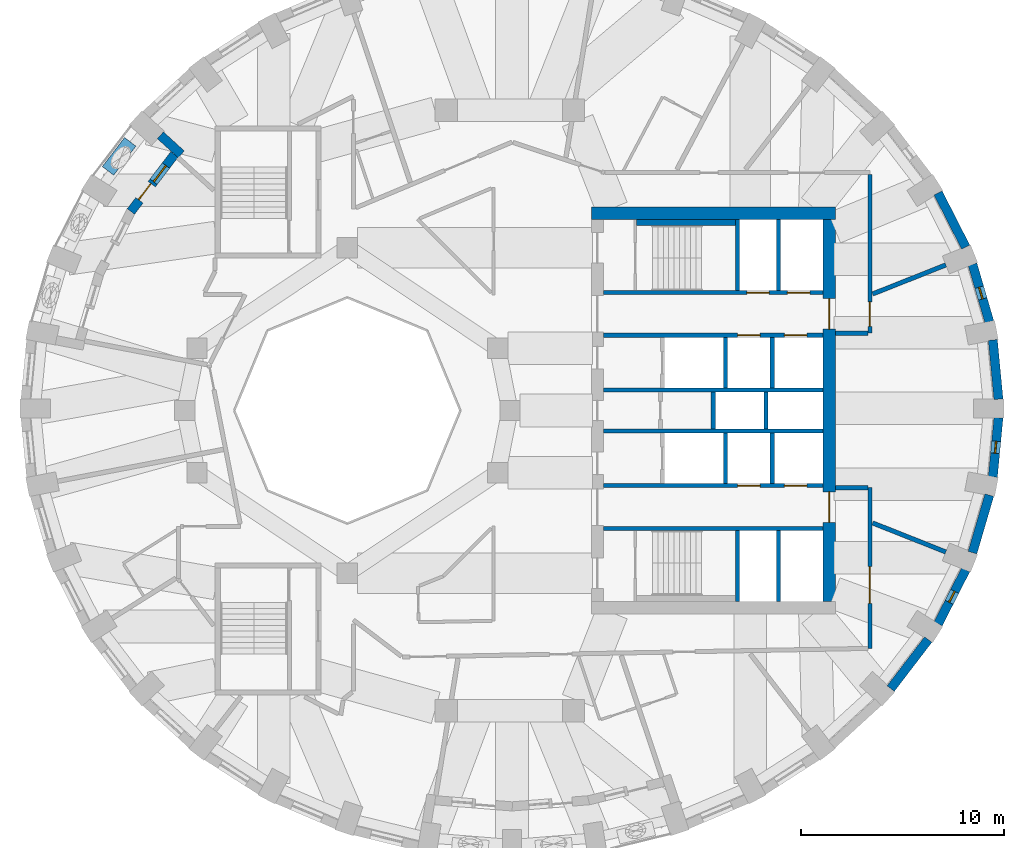
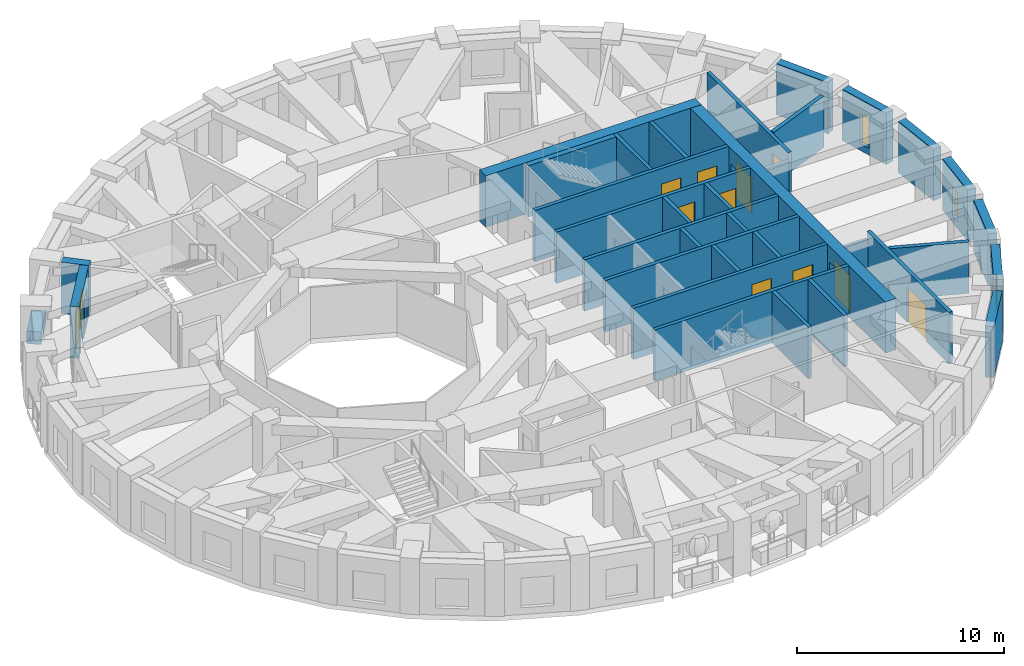
# One storey, part 6 of 11: 35 walls, 11 doors, 4 windows, 15 openings.
"""IFC4 building model written with IfcOpenShell, lengths in metres."""

from ifc_helpers import new_model, si_unit, direction, frame, frame_2d, origin, place, context, subcontext, project, spatial, rectangle, extrude, material, layer, layer_set, constituent, constituent_set, type_object, element, fill, save


model = new_model("IFC4")

# Units and contexts
model_context = context("Model", 3, precision=1e-05, world=origin(), true_north=direction((0.0, 1.0)))
body_context = subcontext(model_context, "Body", "Model", "MODEL_VIEW")
ifc_project = project(units=[si_unit("LENGTHUNIT", "METRE"), si_unit("AREAUNIT", "SQUARE_METRE"), si_unit("VOLUMEUNIT", "CUBIC_METRE"), si_unit("PLANEANGLEUNIT", "RADIAN"), si_unit("MASSUNIT", "GRAM", prefix="KILO")], contexts=[model_context])

# Site, building, storey
site_placement = place(None, origin())
site = spatial("IfcSite", under=ifc_project, at=site_placement, CompositionType="ELEMENT")
building_placement = place(site_placement, origin())
building = spatial("IfcBuilding", under=site, at=building_placement, Name="Taillehof Tower", CompositionType="ELEMENT")
storey_placement = place(building_placement, frame((0.0, 0.0, 155.0)))
storey = spatial("IfcBuildingStorey", under=building, at=storey_placement, Name="L43", CompositionType="ELEMENT", Elevation=155.0)

# Wall
ifc_material_1 = material(Name="Brick masonry", Category="masonry")
ifc_layer_1 = layer(ifc_material_1, 0.449951171875)
ifc_layer_set_1 = layer_set([ifc_layer_1], Name="Brick infill wall 450")
wall_type_1 = type_object("IfcWallType", Name="Brick infill wall 450", PredefinedType="SOLIDWALL", material=ifc_layer_set_1)
wall_1_placement = place(storey_placement, frame((24.030517578125, 0.55517578125, 0.0), z_axis=(0.0, 0.0, 1.0), x_axis=(-0.095265737322, 0.995451876935, 0.0)))
element("IfcWall", 1, at=wall_1_placement, inside=storey, type_object=wall_type_1, Name="Brick wall L43 bay 1", PredefinedType="SOLIDWALL", context=body_context, shape_type="SweptSolid", body=[
    extrude(rectangle(XDim=2.9267578125, YDim=0.449951171875, at=frame_2d((1.46337890625, 0.0))), origin(), (0.0, 0.0, 1.0), 3.02001953125),
])

# Wall, opening, window
wall_2_placement = place(storey_placement, frame((23.579833984375, 4.3623046875, 0.0), z_axis=(0.0, 0.0, 1.0), x_axis=(-0.281049481624, 0.959693278542, 0.0)))
wall_2 = element("IfcWall", 2, at=wall_2_placement, inside=storey, type_object=wall_type_1, Name="Brick wall L43 bay 2", PredefinedType="SOLIDWALL", context=body_context, shape_type="SweptSolid", body=[
    extrude(rectangle(XDim=2.947509765625, YDim=0.449951171875, at=frame_2d((1.4736328125, 0.0))), origin(), (0.0, 0.0, 1.0), 3.02001953125),
])
opening_1_placement = place(wall_2_placement, frame((1.173583984375, 0.0, 0.39990234375)))
opening_1 = element("IfcOpeningElement", 3, at=opening_1_placement, cuts=wall_2, Name="Opening W6", PredefinedType="OPENING", context=body_context, shape_type="SweptSolid", body=[
    extrude(rectangle(XDim=0.60009765625, YDim=1.75, at=frame_2d((0.300048828125, 0.875))), frame((0.0, 0.23486328125, 0.0), z_axis=(0.0, -1.0, 0.0), x_axis=(1.0, 0.0, 0.0)), (0.0, 0.0, 1.0), 0.469970703125),
])
ifc_material_2 = material(Name="Aluminium window frame with clear double glazing", Category="aluminium")
window_type_1 = type_object("IfcWindowType", Name="Slot window 600x1750", PartitioningType="SINGLE_PANEL", PredefinedType="WINDOW", material=ifc_material_2)
window_1_placement = place(opening_1_placement, origin())
window_1 = element("IfcWindow", 4, at=window_1_placement, inside=storey, type_object=window_type_1, Name="W6", OverallHeight=1.75, OverallWidth=0.60009765625, PartitioningType="SINGLE_PANEL", PredefinedType="WINDOW", context=body_context, shape_type="SweptSolid", body=[
    extrude(rectangle(XDim=0.60009765625, YDim=1.75, at=frame_2d((0.300048828125, 0.875))), frame((0.0, 0.034912109375, 0.0), z_axis=(0.0, -1.0, 0.0), x_axis=(1.0, 0.0, 0.0)), (0.0, 0.0, 1.0), 0.06005859375),
])
fill(opening_1, window_1)

# Walls
wall_3_placement = place(storey_placement, frame((22.415283203125, 8.036865234375, 0.0), z_axis=(0.0, 0.0, 1.0), x_axis=(-0.454133999889, 0.890933392653, 0.0)))
element("IfcWall", 5, at=wall_3_placement, inside=storey, type_object=wall_type_1, Name="Brick wall L43 bay 3", PredefinedType="SOLIDWALL", context=body_context, shape_type="SweptSolid", body=[
    extrude(rectangle(XDim=2.98583984375, YDim=0.449951171875, at=frame_2d((1.492919921875, 0.0))), origin(), (0.0, 0.0, 1.0), 3.02001953125),
])
wall_4_placement = place(storey_placement, frame((18.72802734375, -13.6787109375, 0.0), z_axis=(0.0, 0.0, 1.0), x_axis=(0.607817056371, 0.794077090706, 0.0)))
element("IfcWall", 6, at=wall_4_placement, inside=storey, type_object=wall_type_1, Name="Brick wall L43 bay 33", PredefinedType="SOLIDWALL", context=body_context, shape_type="SweptSolid", body=[
    extrude(rectangle(XDim=3.037109375, YDim=0.449951171875, at=frame_2d((1.5185546875, 0.0))), origin(), (0.0, 0.0, 1.0), 3.02001953125),
])

# Wall, opening, window
wall_5_placement = place(storey_placement, frame((21.059326171875, -10.4970703125, 0.0), z_axis=(0.0, 0.0, 1.0), x_axis=(0.454133999889, 0.890933392653, 0.0)))
wall_5 = element("IfcWall", 7, at=wall_5_placement, inside=storey, type_object=wall_type_1, Name="Brick wall L43 bay 34", PredefinedType="SOLIDWALL", context=body_context, shape_type="SweptSolid", body=[
    extrude(rectangle(XDim=2.98583984375, YDim=0.449951171875, at=frame_2d((1.492919921875, 0.0))), origin(), (0.0, 0.0, 1.0), 3.02001953125),
])
opening_2_placement = place(wall_5_placement, frame((1.19287109375, 0.0, 0.39990234375)))
opening_2 = element("IfcOpeningElement", 8, at=opening_2_placement, cuts=wall_5, Name="Opening W6", PredefinedType="OPENING", context=body_context, shape_type="SweptSolid", body=[
    extrude(rectangle(XDim=0.60009765625, YDim=1.75, at=frame_2d((0.300048828125, 0.875))), frame((0.0, 0.23486328125, 0.0), z_axis=(0.0, -1.0, 0.0), x_axis=(1.0, 0.0, 0.0)), (0.0, 0.0, 1.0), 0.469970703125),
])
window_2_placement = place(opening_2_placement, origin())
window_2 = element("IfcWindow", 9, at=window_2_placement, inside=storey, type_object=window_type_1, Name="W6", OverallHeight=1.75, OverallWidth=0.60009765625, PartitioningType="SINGLE_PANEL", PredefinedType="WINDOW", context=body_context, shape_type="SweptSolid", body=[
    extrude(rectangle(XDim=0.60009765625, YDim=1.75, at=frame_2d((0.300048828125, 0.875))), frame((0.0, 0.034912109375, 0.0), z_axis=(0.0, -1.0, 0.0), x_axis=(1.0, 0.0, 0.0)), (0.0, 0.0, 1.0), 0.06005859375),
])
fill(opening_2, window_2)

# Wall
wall_6_placement = place(storey_placement, frame((22.75146484375, -6.990966796875, 0.0), z_axis=(0.0, 0.0, 1.0), x_axis=(0.281049481624, 0.959693278542, 0.0)))
element("IfcWall", 10, at=wall_6_placement, inside=storey, type_object=wall_type_1, Name="Brick wall L43 bay 35", PredefinedType="SOLIDWALL", context=body_context, shape_type="SweptSolid", body=[
    extrude(rectangle(XDim=2.947509765625, YDim=0.449951171875, at=frame_2d((1.4736328125, 0.0))), origin(), (0.0, 0.0, 1.0), 3.02001953125),
])

# Wall, opening, window
wall_7_placement = place(storey_placement, frame((23.751708984375, -3.2685546875, 0.0), z_axis=(0.0, 0.0, 1.0), x_axis=(0.095257827044, 0.995452633924, 0.0)))
wall_7 = element("IfcWall", 11, at=wall_7_placement, inside=storey, type_object=wall_type_1, Name="Brick wall L43 bay 36", PredefinedType="SOLIDWALL", context=body_context, shape_type="SweptSolid", body=[
    extrude(rectangle(XDim=2.927001953125, YDim=0.449951171875, at=frame_2d((1.46337890625, 0.0))), origin(), (0.0, 0.0, 1.0), 3.02001953125),
])
opening_3_placement = place(wall_7_placement, frame((1.163330078125, 0.0, 0.39990234375)))
opening_3 = element("IfcOpeningElement", 12, at=opening_3_placement, cuts=wall_7, Name="Opening W6", PredefinedType="OPENING", context=body_context, shape_type="SweptSolid", body=[
    extrude(rectangle(XDim=0.60009765625, YDim=1.75, at=frame_2d((0.300048828125, 0.875))), frame((0.0, 0.23486328125, 0.0), z_axis=(0.0, -1.0, 0.0), x_axis=(1.0, 0.0, 0.0)), (0.0, 0.0, 1.0), 0.469970703125),
])
window_3_placement = place(opening_3_placement, origin())
window_3 = element("IfcWindow", 13, at=window_3_placement, inside=storey, type_object=window_type_1, Name="W6", OverallHeight=1.75, OverallWidth=0.60009765625, PartitioningType="SINGLE_PANEL", PredefinedType="WINDOW", context=body_context, shape_type="SweptSolid", body=[
    extrude(rectangle(XDim=0.60009765625, YDim=1.75, at=frame_2d((0.300048828125, 0.875))), frame((0.0, 0.034912109375, 0.0), z_axis=(0.0, -1.0, 0.0), x_axis=(1.0, 0.0, 0.0)), (0.0, 0.0, 1.0), 0.06005859375),
])
fill(opening_3, window_3)

# Wall
wall_8_placement = place(storey_placement, frame((-17.19482421875, 13.537353515625, 0.0), z_axis=(0.0, 0.0, 1.0), x_axis=(0.737918885826, -0.674889411638, 0.0)))
element("IfcWall", 14, at=wall_8_placement, inside=storey, type_object=wall_type_1, Name="Brick reveal L43 pocket 4", PredefinedType="SOLIDWALL", context=body_context, shape_type="SweptSolid", body=[
    extrude(rectangle(XDim=1.390625, YDim=0.449951171875, at=frame_2d((0.6953125, 0.0))), origin(), (0.0, 0.0, 1.0), 3.02001953125),
])

# Wall, openings, door, window
wall_9_placement = place(storey_placement, frame((-16.500732421875, 12.59765625, 0.0), z_axis=(0.0, 0.0, 1.0), x_axis=(-0.606778881252, -0.794870674554, 0.0)))
wall_9 = element("IfcWall", 15, at=wall_9_placement, inside=storey, type_object=wall_type_1, Name="Brick wall L43 pocket bay 15", PredefinedType="SOLIDWALL", context=body_context, shape_type="SweptSolid", body=[
    extrude(rectangle(XDim=3.538330078125, YDim=0.449951171875, at=frame_2d((1.76904296875, 0.0))), origin(), (0.0, 0.0, 1.0), 3.02001953125),
])
opening_4_placement = place(wall_9_placement, frame((0.694091796875, 0.0, 0.39990234375)))
opening_4 = element("IfcOpeningElement", 16, at=opening_4_placement, cuts=wall_9, Name="Opening W5", PredefinedType="OPENING", context=body_context, shape_type="SweptSolid", body=[
    extrude(rectangle(XDim=1.0, YDim=1.75, at=frame_2d((0.5, 0.875))), frame((0.0, 0.23486328125, 0.0), z_axis=(0.0, -1.0, 0.0), x_axis=(1.0, 0.0, 0.0)), (0.0, 0.0, 1.0), 0.469970703125),
])
opening_5_placement = place(wall_9_placement, frame((1.84423828125, 0.0, 0.0)))
opening_5 = element("IfcOpeningElement", 17, at=opening_5_placement, cuts=wall_9, Name="Opening D4394", PredefinedType="OPENING", context=body_context, shape_type="SweptSolid", body=[
    extrude(rectangle(XDim=1.0, YDim=2.14990234375, at=frame_2d((0.5, 1.074951171875))), frame((0.0, 0.23486328125, 0.0), z_axis=(0.0, -1.0, 0.0), x_axis=(1.0, 0.0, 0.0)), (0.0, 0.0, 1.0), 0.469970703125),
])
ifc_material_3 = material(Name="Aluminium door frame with clear double glazing", Category="aluminium")
door_type_1 = type_object("IfcDoorType", Name="Balcony door 1000x2150", OperationType="SINGLE_SWING_RIGHT", PredefinedType="DOOR", material=ifc_material_3)
door_1_placement = place(opening_5_placement, frame((1.0, 0.0, 0.0), z_axis=(0.0, 0.0, 1.0), x_axis=(-1.0, 0.0, 0.0)))
door_1 = element("IfcDoor", 18, at=door_1_placement, inside=storey, type_object=door_type_1, Name="Balcony door L43 bay 15", OperationType="SINGLE_SWING_RIGHT", OverallHeight=2.14990234375, OverallWidth=1.0, PredefinedType="DOOR", context=body_context, shape_type="SweptSolid", body=[
    extrude(rectangle(XDim=1.0, YDim=2.14990234375, at=frame_2d((0.5, 1.074951171875))), frame((0.0, 0.0751953125, 0.0), z_axis=(0.0, -1.0, 0.0), x_axis=(1.0, 0.0, 0.0)), (0.0, 0.0, 1.0), 0.050048828125),
])
fill(opening_5, door_1)
ifc_material_4 = material(Name="Aluminium window frame with clear double glazing", Category="aluminium")
window_type_2 = type_object("IfcWindowType", Name="Fixed window 1000x1750", PartitioningType="SINGLE_PANEL", PredefinedType="WINDOW", material=ifc_material_4)
window_4_placement = place(opening_4_placement, origin())
window_4 = element("IfcWindow", 19, at=window_4_placement, inside=storey, type_object=window_type_2, Name="W5", OverallHeight=1.75, OverallWidth=1.0, PartitioningType="SINGLE_PANEL", PredefinedType="WINDOW", context=body_context, shape_type="SweptSolid", body=[
    extrude(rectangle(XDim=1.0, YDim=1.75, at=frame_2d((0.5, 0.875))), frame((0.0, 0.034912109375, 0.0), z_axis=(0.0, -1.0, 0.0), x_axis=(1.0, 0.0, 0.0)), (0.0, 0.0, 1.0), 0.06005859375),
])
fill(opening_4, window_4)

# Walls
ifc_material_5 = material(Name="Calcium silicate masonry", Category="masonry")
ifc_layer_2 = layer(ifc_material_5, 0.199951171875)
ifc_layer_set_2 = layer_set([ifc_layer_2], Name="Compartment wall calcium silicate 200")
wall_type_2 = type_object("IfcWallType", Name="Compartment wall calcium silicate 200", PredefinedType="PARTITIONING", material=ifc_layer_set_2)
for number, where, z_axis, x_axis, name in (
    (20, (10.0, -0.89990234375, 0.0), (0.0, 0.0, 1.0), (0.0, 1.0, 0.0), "Compartment wall FW"),
    (21, (12.60009765625, -0.89990234375, 0.0), (0.0, 0.0, 1.0), (0.0, 1.0, 0.0), "Compartment wall FW"),
):
    element("IfcWall", number, at=place(storey_placement, frame(where, z_axis=z_axis, x_axis=x_axis)), inside=storey, type_object=wall_type_2, Name=name, PredefinedType="PARTITIONING", context=body_context, shape_type="SweptSolid", body=[
        extrude(rectangle(XDim=1.7998046875, YDim=0.199951171875, at=frame_2d((0.89990234375, 0.0))), origin(), (0.0, 0.0, 1.0), 3.02001953125),
    ])

# Wall, opening, door
ifc_material_6 = material(Name="Gypsum board on steel studs, two layers each side", Category="steel")
ifc_layer_3 = layer(ifc_material_6, 0.199951171875)
ifc_layer_set_3 = layer_set([ifc_layer_3], Name="Compartment wall corridor 200")
wall_type_3 = type_object("IfcWallType", Name="Compartment wall corridor 200", PredefinedType="PARTITIONING", material=ifc_layer_set_3)
wall_10_placement = place(storey_placement, frame((17.699951171875, -3.800048828125, 0.0), z_axis=(0.0, 0.0, 1.0), x_axis=(0.0, -1.0, 0.0)))
wall_10 = element("IfcWall", 22, at=wall_10_placement, inside=storey, type_object=wall_type_3, Name="Compartment wall", PredefinedType="PARTITIONING", context=body_context, shape_type="SweptSolid", body=[
    extrude(rectangle(XDim=7.89990234375, YDim=0.199951171875, at=frame_2d((3.949951171875, 0.0))), origin(), (0.0, 0.0, 1.0), 3.02001953125),
])
opening_6_placement = place(wall_10_placement, frame((3.8828125, 0.0, 0.0)))
opening_6 = element("IfcOpeningElement", 23, at=opening_6_placement, cuts=wall_10, Name="Opening D4356", PredefinedType="OPENING", context=body_context, shape_type="SweptSolid", body=[
    extrude(rectangle(XDim=1.800048828125, YDim=2.10009765625, at=frame_2d((0.89990234375, 1.050048828125))), frame((0.0, 0.10986328125, 0.0), z_axis=(0.0, -1.0, 0.0), x_axis=(1.0, 0.0, 0.0)), (0.0, 0.0, 1.0), 0.219970703125),
])
ifc_material_7 = material(Name="Timber door leaf in steel frame", Category="steel")
door_type_2 = type_object("IfcDoorType", Name="Lounge and meeting room double door EI 30 1800 x 2100", OperationType="SINGLE_SWING_LEFT", PredefinedType="DOOR", material=ifc_material_7)
door_2_placement = place(opening_6_placement, origin())
door_2 = element("IfcDoor", 24, at=door_2_placement, inside=storey, type_object=door_type_2, Name="D4356", OperationType="DOUBLE_DOOR_SINGLE_SWING", OverallHeight=2.10009765625, OverallWidth=1.800048828125, PredefinedType="DOOR", context=body_context, shape_type="SweptSolid", body=[
    extrude(rectangle(XDim=1.800048828125, YDim=2.10009765625, at=frame_2d((0.89990234375, 1.050048828125))), frame((0.0, 0.02490234375, 0.0), z_axis=(0.0, -1.0, 0.0), x_axis=(1.0, 0.0, 0.0)), (0.0, 0.0, 1.0), 0.050048828125),
])
fill(opening_6, door_2)

wall_11_placement = place(storey_placement, frame((17.699951171875, 11.599853515625, 0.0), z_axis=(0.0, 0.0, 1.0), x_axis=(0.0, -1.0, 0.0)))
wall_11 = element("IfcWall", 25, at=wall_11_placement, inside=storey, type_object=wall_type_3, Name="Compartment wall", PredefinedType="PARTITIONING", context=body_context, shape_type="SweptSolid", body=[
    extrude(rectangle(XDim=7.7998046875, YDim=0.199951171875, at=frame_2d((3.89990234375, 0.0))), origin(), (0.0, 0.0, 1.0), 3.02001953125),
])
opening_7_placement = place(wall_11_placement, frame((6.25634765625, 0.0, 0.0)))
opening_7 = element("IfcOpeningElement", 26, at=opening_7_placement, cuts=wall_11, Name="Opening D4357", PredefinedType="OPENING", context=body_context, shape_type="SweptSolid", body=[
    extrude(rectangle(XDim=1.199951171875, YDim=2.10009765625, at=frame_2d((0.60009765625, 1.050048828125))), frame((0.0, 0.10986328125, 0.0), z_axis=(0.0, -1.0, 0.0), x_axis=(1.0, 0.0, 0.0)), (0.0, 0.0, 1.0), 0.219970703125),
])
ifc_material_8 = material(Name="Timber door leaf in steel frame", Category="steel")
door_type_3 = type_object("IfcDoorType", Name="Suite entrance door EI 30 1200 x 2100", OperationType="SINGLE_SWING_LEFT", PredefinedType="DOOR", material=ifc_material_8)
door_3_placement = place(opening_7_placement, origin())
door_3 = element("IfcDoor", 27, at=door_3_placement, inside=storey, type_object=door_type_3, Name="D4357", OperationType="SINGLE_SWING_LEFT", OverallHeight=2.10009765625, OverallWidth=1.199951171875, PredefinedType="DOOR", context=body_context, shape_type="SweptSolid", body=[
    extrude(rectangle(XDim=1.199951171875, YDim=2.10009765625, at=frame_2d((0.60009765625, 1.050048828125))), frame((0.0, 0.02490234375, 0.0), z_axis=(0.0, -1.0, 0.0), x_axis=(1.0, 0.0, 0.0)), (0.0, 0.0, 1.0), 0.050048828125),
])
fill(opening_7, door_3)

# Walls
for number, where, z_axis, x_axis, name in (
    (28, (17.599853515625, 3.800048828125, 0.0), (0.0, 0.0, 1.0), (-1.0, 0.0, 0.0), "Compartment wall"),
    (29, (16.00390625, -3.800048828125, 0.0), (0.0, 0.0, 1.0), (1.0, 0.0, 0.0), "Compartment wall"),
):
    element("IfcWall", number, at=place(storey_placement, frame(where, z_axis=z_axis, x_axis=x_axis)), inside=storey, type_object=wall_type_3, Name=name, PredefinedType="PARTITIONING", context=body_context, shape_type="SweptSolid", body=[
        extrude(rectangle(XDim=1.595947265625, YDim=0.199951171875, at=frame_2d((0.7978515625, 0.0))), origin(), (0.0, 0.0, 1.0), 2.570068359375),
    ])
ifc_material_9 = material(Name="Gypsum board on double steel studs with mineral wool", Category="steel")
ifc_layer_4 = layer(ifc_material_9, 0.219970703125)
ifc_layer_set_4 = layer_set([ifc_layer_4], Name="Compartment wall guest room 220")
wall_type_4 = type_object("IfcWallType", Name="Compartment wall guest room 220", PredefinedType="PARTITIONING", material=ifc_layer_set_4)
for number, where, z_axis, x_axis, name in (
    (30, (21.438720703125, 7.15966796875, 0.0), (0.0, 0.0, 1.0), (-0.929511625875, -0.36879281089, 0.0), "Compartment wall"),
    (31, (21.438720703125, -6.959716796875, 0.0), (0.0, 0.0, 1.0), (-0.929511625875, 0.36879281089, 0.0), "Compartment wall"),
):
    element("IfcWall", number, at=place(storey_placement, frame(where, z_axis=z_axis, x_axis=x_axis)), inside=storey, type_object=wall_type_4, Name=name, PredefinedType="PARTITIONING", context=body_context, shape_type="SweptSolid", body=[
        extrude(rectangle(XDim=3.874755859375, YDim=0.219970703125, at=frame_2d((1.9375, 0.0))), origin(), (0.0, 0.0, 1.0), 3.02001953125),
    ])
ifc_material_10 = material(Name="Calcium silicate masonry", Category="masonry")
ifc_layer_5 = layer(ifc_material_10, 0.300048828125)
ifc_layer_set_5 = layer_set([ifc_layer_5], Name="Compartment wall lining calcium silicate 300")
wall_type_5 = type_object("IfcWallType", Name="Compartment wall lining calcium silicate 300", PredefinedType="PARTITIONING", material=ifc_layer_set_5)
wall_12_placement = place(storey_placement, frame((6.219970703125, 9.25, 0.0), z_axis=(0.0, 0.0, 1.0), x_axis=(1.0, 0.0, 0.0)))
element("IfcWall", 32, at=wall_12_placement, inside=storey, type_object=wall_type_5, Name="Compartment wall FW", PredefinedType="PARTITIONING", context=body_context, shape_type="SweptSolid", body=[
    extrude(rectangle(XDim=4.880126953125, YDim=0.300048828125, at=frame_2d((2.43994140625, 0.0))), origin(), (0.0, 0.0, 1.0), 3.02001953125),
])

# Wall, openings, doors
ifc_material_11 = material(Name="Concrete C80/95", Category="concrete")
ifc_layer_6 = layer(ifc_material_11, 0.60009765625)
ifc_layer_set_6 = layer_set([ifc_layer_6], Name="Core wall C80/95 600")
wall_type_6 = type_object("IfcWallType", Name="Core wall C80/95 600", PredefinedType="SHEAR", material=ifc_layer_set_6)
wall_13_placement = place(storey_placement, frame((15.699951171875, -9.39990234375, 0.0), z_axis=(0.0, 0.0, 1.0), x_axis=(0.0, 1.0, 0.0)))
wall_13 = element("IfcWall", 33, at=wall_13_placement, inside=storey, type_object=wall_type_6, Name="Core wall CW05", PredefinedType="SHEAR", context=body_context, shape_type="SweptSolid", body=[
    extrude(rectangle(XDim=18.7998046875, YDim=0.60009765625, at=frame_2d((9.39990234375, 0.0))), origin(), (0.0, 0.0, 1.0), 3.02001953125),
])
opening_8_placement = place(wall_13_placement, frame((13.39990234375, 0.0, 0.0)))
opening_8 = element("IfcOpeningElement", 34, at=opening_8_placement, cuts=wall_13, Name="Opening D4308", PredefinedType="OPENING", context=body_context, shape_type="SweptSolid", body=[
    extrude(rectangle(XDim=1.5, YDim=2.10009765625, at=frame_2d((0.75, 1.050048828125))), frame((0.0, 0.31005859375, 0.0), z_axis=(0.0, -1.0, 0.0), x_axis=(1.0, 0.0, 0.0)), (0.0, 0.0, 1.0), 0.6201171875),
])
opening_9_placement = place(wall_13_placement, frame((3.89990234375, 0.0, 0.0)))
opening_9 = element("IfcOpeningElement", 35, at=opening_9_placement, cuts=wall_13, Name="Opening D4309", PredefinedType="OPENING", context=body_context, shape_type="SweptSolid", body=[
    extrude(rectangle(XDim=1.5, YDim=2.10009765625, at=frame_2d((0.75, 1.050048828125))), frame((0.0, 0.31005859375, 0.0), z_axis=(0.0, -1.0, 0.0), x_axis=(1.0, 0.0, 0.0)), (0.0, 0.0, 1.0), 0.6201171875),
])
ifc_material_12 = material(Name="Steel-faced fire door", Category="steel")
door_type_4 = type_object("IfcDoorType", Name="Lift lobby east door 1500x2100", OperationType="DOUBLE_DOOR_SINGLE_SWING", PredefinedType="DOOR", material=ifc_material_12)
door_4_placement = place(opening_8_placement, origin())
door_4 = element("IfcDoor", 36, at=door_4_placement, inside=storey, type_object=door_type_4, Name="Lift lobby east door north", OperationType="DOUBLE_DOOR_SINGLE_SWING", OverallHeight=2.10009765625, OverallWidth=1.5, PredefinedType="DOOR", context=body_context, shape_type="SweptSolid", body=[
    extrude(rectangle(XDim=1.5, YDim=2.10009765625, at=frame_2d((0.75, 1.050048828125))), frame((0.0, 0.02490234375, 0.0), z_axis=(0.0, -1.0, 0.0), x_axis=(1.0, 0.0, 0.0)), (0.0, 0.0, 1.0), 0.050048828125),
])
fill(opening_8, door_4)
door_5_placement = place(opening_9_placement, origin())
door_5 = element("IfcDoor", 37, at=door_5_placement, inside=storey, type_object=door_type_4, Name="Lift lobby east door south", OperationType="DOUBLE_DOOR_SINGLE_SWING", OverallHeight=2.10009765625, OverallWidth=1.5, PredefinedType="DOOR", context=body_context, shape_type="SweptSolid", body=[
    extrude(rectangle(XDim=1.5, YDim=2.10009765625, at=frame_2d((0.75, 1.050048828125))), frame((0.0, 0.02490234375, 0.0), z_axis=(0.0, -1.0, 0.0), x_axis=(1.0, 0.0, 0.0)), (0.0, 0.0, 1.0), 0.050048828125),
])
fill(opening_9, door_5)

# Walls
wall_14_placement = place(storey_placement, frame((4.0, 9.699951171875, 0.0), z_axis=(0.0, 0.0, 1.0), x_axis=(1.0, 0.0, 0.0)))
element("IfcWall", 38, at=wall_14_placement, inside=storey, type_object=wall_type_6, Name="Core wall CW06", PredefinedType="SHEAR", context=body_context, shape_type="SweptSolid", body=[
    extrude(rectangle(XDim=12.0, YDim=0.60009765625, at=frame_2d((6.0, 0.0))), origin(), (0.0, 0.0, 1.0), 3.02001953125),
])
ifc_material_13 = material(Name="Concrete C30/37 precast", Category="concrete")
ifc_constituent_1 = constituent(ifc_material_13, Name="Structure", Category="concrete")
ifc_material_14 = material(Name="Insulated lining")
ifc_constituent_2 = constituent(ifc_material_14, Name="Lining")
ifc_constituent_set = constituent_set(constituents=[ifc_constituent_1, ifc_constituent_2], Name="Planter trough 700x750")
wall_type_7 = type_object("IfcWallType", Name="Planter trough 700x750", PredefinedType="USERDEFINED", material=ifc_constituent_set)
wall_15_placement = place(storey_placement, frame((-18.677978515625, 13.214111328125, 0.0), z_axis=(0.0, 0.0, 1.0), x_axis=(-0.607762189494, -0.794119084912, 0.0)))
element("IfcWall", 39, at=wall_15_placement, inside=storey, type_object=wall_type_7, Name="Planter L43 bay 15", ObjectType="PLANTER", PredefinedType="USERDEFINED", context=body_context, shape_type="SweptSolid", body=[
    extrude(rectangle(XDim=1.800048828125, YDim=0.699951171875, at=frame_2d((0.89990234375, 0.0))), origin(), (0.0, 0.0, 1.0), 0.75),
])

# Wall, openings, doors
ifc_material_15 = material(Name="Concrete C50/60", Category="concrete")
ifc_layer_7 = layer(ifc_material_15, 0.199951171875)
ifc_layer_set_7 = layer_set([ifc_layer_7], Name="Shaft wall C50/60 200")
wall_type_8 = type_object("IfcWallType", Name="Shaft wall C50/60 200", PredefinedType="SHEAR", material=ifc_layer_set_7)
wall_16_placement = place(storey_placement, frame((4.60009765625, 5.800048828125, 0.0), z_axis=(0.0, 0.0, 1.0), x_axis=(1.0, 0.0, 0.0)))
wall_16 = element("IfcWall", 40, at=wall_16_placement, inside=storey, type_object=wall_type_8, Name="Shaft wall SW", PredefinedType="SHEAR", context=body_context, shape_type="SweptSolid", body=[
    extrude(rectangle(XDim=10.7998046875, YDim=0.199951171875, at=frame_2d((5.39990234375, 0.0))), origin(), (0.0, 0.0, 1.0), 3.02001953125),
])
opening_10_placement = place(wall_16_placement, frame((7.050048828125, 0.0, 0.0)))
opening_10 = element("IfcOpeningElement", 41, at=opening_10_placement, cuts=wall_16, Name="Opening LD1", PredefinedType="OPENING", context=body_context, shape_type="SweptSolid", body=[
    extrude(rectangle(XDim=1.10009765625, YDim=2.10009765625, at=frame_2d((0.550048828125, 1.050048828125))), frame((0.0, 0.10986328125, 0.0), z_axis=(0.0, -1.0, 0.0), x_axis=(1.0, 0.0, 0.0)), (0.0, 0.0, 1.0), 0.219970703125),
])
opening_11_placement = place(wall_16_placement, frame((9.050048828125, 0.0, 0.0)))
opening_11 = element("IfcOpeningElement", 42, at=opening_11_placement, cuts=wall_16, Name="Opening LD1", PredefinedType="OPENING", context=body_context, shape_type="SweptSolid", body=[
    extrude(rectangle(XDim=1.10009765625, YDim=2.10009765625, at=frame_2d((0.550048828125, 1.050048828125))), frame((0.0, 0.10986328125, 0.0), z_axis=(0.0, -1.0, 0.0), x_axis=(1.0, 0.0, 0.0)), (0.0, 0.0, 1.0), 0.219970703125),
])
ifc_material_16 = material(Name="Stainless steel", Category="steel")
door_type_5 = type_object("IfcDoorType", Name="Lift landing door LD1 1100x2100", OperationType="DOUBLE_DOOR_SLIDING", PredefinedType="DOOR", material=ifc_material_16)
door_6_placement = place(opening_10_placement, origin())
door_6 = element("IfcDoor", 43, at=door_6_placement, inside=storey, type_object=door_type_5, Name="Landing door HR1", OperationType="DOUBLE_DOOR_SLIDING", OverallHeight=2.10009765625, OverallWidth=1.10009765625, PredefinedType="DOOR", context=body_context, shape_type="SweptSolid", body=[
    extrude(rectangle(XDim=1.10009765625, YDim=2.10009765625, at=frame_2d((0.550048828125, 1.050048828125))), frame((0.0, 0.02490234375, 0.0), z_axis=(0.0, -1.0, 0.0), x_axis=(1.0, 0.0, 0.0)), (0.0, 0.0, 1.0), 0.050048828125),
])
fill(opening_10, door_6)
door_7_placement = place(opening_11_placement, origin())
door_7 = element("IfcDoor", 44, at=door_7_placement, inside=storey, type_object=door_type_5, Name="Landing door HR2", OperationType="DOUBLE_DOOR_SLIDING", OverallHeight=2.10009765625, OverallWidth=1.10009765625, PredefinedType="DOOR", context=body_context, shape_type="SweptSolid", body=[
    extrude(rectangle(XDim=1.10009765625, YDim=2.10009765625, at=frame_2d((0.550048828125, 1.050048828125))), frame((0.0, 0.02490234375, 0.0), z_axis=(0.0, -1.0, 0.0), x_axis=(1.0, 0.0, 0.0)), (0.0, 0.0, 1.0), 0.050048828125),
])
fill(opening_11, door_7)

wall_17_placement = place(storey_placement, frame((4.60009765625, 3.699951171875, 0.0), z_axis=(0.0, 0.0, 1.0), x_axis=(1.0, 0.0, 0.0)))
wall_17 = element("IfcWall", 45, at=wall_17_placement, inside=storey, type_object=wall_type_8, Name="Shaft wall SW", PredefinedType="SHEAR", context=body_context, shape_type="SweptSolid", body=[
    extrude(rectangle(XDim=10.7998046875, YDim=0.199951171875, at=frame_2d((5.39990234375, 0.0))), origin(), (0.0, 0.0, 1.0), 3.02001953125),
])
opening_12_placement = place(wall_17_placement, frame((6.60009765625, 0.0, 0.0)))
opening_12 = element("IfcOpeningElement", 46, at=opening_12_placement, cuts=wall_17, Name="Opening LD1", PredefinedType="OPENING", context=body_context, shape_type="SweptSolid", body=[
    extrude(rectangle(XDim=1.10009765625, YDim=2.10009765625, at=frame_2d((0.550048828125, 1.050048828125))), frame((0.0, 0.10986328125, 0.0), z_axis=(0.0, -1.0, 0.0), x_axis=(1.0, 0.0, 0.0)), (0.0, 0.0, 1.0), 0.219970703125),
])
opening_13_placement = place(wall_17_placement, frame((8.89990234375, 0.0, 0.0)))
opening_13 = element("IfcOpeningElement", 47, at=opening_13_placement, cuts=wall_17, Name="Opening LD1", PredefinedType="OPENING", context=body_context, shape_type="SweptSolid", body=[
    extrude(rectangle(XDim=1.10009765625, YDim=2.10009765625, at=frame_2d((0.550048828125, 1.050048828125))), frame((0.0, 0.10986328125, 0.0), z_axis=(0.0, -1.0, 0.0), x_axis=(1.0, 0.0, 0.0)), (0.0, 0.0, 1.0), 0.219970703125),
])
door_8_placement = place(opening_12_placement, origin())
door_8 = element("IfcDoor", 48, at=door_8_placement, inside=storey, type_object=door_type_5, Name="Landing door HR3", OperationType="DOUBLE_DOOR_SLIDING", OverallHeight=2.10009765625, OverallWidth=1.10009765625, PredefinedType="DOOR", context=body_context, shape_type="SweptSolid", body=[
    extrude(rectangle(XDim=1.10009765625, YDim=2.10009765625, at=frame_2d((0.550048828125, 1.050048828125))), frame((0.0, 0.02490234375, 0.0), z_axis=(0.0, -1.0, 0.0), x_axis=(1.0, 0.0, 0.0)), (0.0, 0.0, 1.0), 0.050048828125),
])
fill(opening_12, door_8)
door_9_placement = place(opening_13_placement, origin())
door_9 = element("IfcDoor", 49, at=door_9_placement, inside=storey, type_object=door_type_5, Name="Landing door HR4", OperationType="DOUBLE_DOOR_SLIDING", OverallHeight=2.10009765625, OverallWidth=1.10009765625, PredefinedType="DOOR", context=body_context, shape_type="SweptSolid", body=[
    extrude(rectangle(XDim=1.10009765625, YDim=2.10009765625, at=frame_2d((0.550048828125, 1.050048828125))), frame((0.0, 0.02490234375, 0.0), z_axis=(0.0, -1.0, 0.0), x_axis=(1.0, 0.0, 0.0)), (0.0, 0.0, 1.0), 0.050048828125),
])
fill(opening_13, door_9)

# Walls
for number, where, z_axis, x_axis, name in (
    (50, (4.60009765625, 1.0, 0.0), (0.0, 0.0, 1.0), (1.0, 0.0, 0.0), "Shaft wall SW"),
    (51, (4.60009765625, -1.0, 0.0), (0.0, 0.0, 1.0), (1.0, 0.0, 0.0), "Shaft wall SW"),
):
    element("IfcWall", number, at=place(storey_placement, frame(where, z_axis=z_axis, x_axis=x_axis)), inside=storey, type_object=wall_type_8, Name=name, PredefinedType="SHEAR", context=body_context, shape_type="SweptSolid", body=[
        extrude(rectangle(XDim=10.7998046875, YDim=0.199951171875, at=frame_2d((5.39990234375, 0.0))), origin(), (0.0, 0.0, 1.0), 3.02001953125),
    ])

# Wall, openings, doors
wall_18_placement = place(storey_placement, frame((4.60009765625, -3.699951171875, 0.0), z_axis=(0.0, 0.0, 1.0), x_axis=(1.0, 0.0, 0.0)))
wall_18 = element("IfcWall", 52, at=wall_18_placement, inside=storey, type_object=wall_type_8, Name="Shaft wall SW", PredefinedType="SHEAR", context=body_context, shape_type="SweptSolid", body=[
    extrude(rectangle(XDim=10.7998046875, YDim=0.199951171875, at=frame_2d((5.39990234375, 0.0))), origin(), (0.0, 0.0, 1.0), 3.02001953125),
])
opening_14_placement = place(wall_18_placement, frame((6.60009765625, 0.0, 0.0)))
opening_14 = element("IfcOpeningElement", 53, at=opening_14_placement, cuts=wall_18, Name="Opening LD1", PredefinedType="OPENING", context=body_context, shape_type="SweptSolid", body=[
    extrude(rectangle(XDim=1.10009765625, YDim=2.10009765625, at=frame_2d((0.550048828125, 1.050048828125))), frame((0.0, 0.10986328125, 0.0), z_axis=(0.0, -1.0, 0.0), x_axis=(1.0, 0.0, 0.0)), (0.0, 0.0, 1.0), 0.219970703125),
])
opening_15_placement = place(wall_18_placement, frame((8.89990234375, 0.0, 0.0)))
opening_15 = element("IfcOpeningElement", 54, at=opening_15_placement, cuts=wall_18, Name="Opening LD1", PredefinedType="OPENING", context=body_context, shape_type="SweptSolid", body=[
    extrude(rectangle(XDim=1.10009765625, YDim=2.10009765625, at=frame_2d((0.550048828125, 1.050048828125))), frame((0.0, 0.10986328125, 0.0), z_axis=(0.0, -1.0, 0.0), x_axis=(1.0, 0.0, 0.0)), (0.0, 0.0, 1.0), 0.219970703125),
])
door_10_placement = place(opening_14_placement, origin())
door_10 = element("IfcDoor", 55, at=door_10_placement, inside=storey, type_object=door_type_5, Name="Landing door HR5", OperationType="DOUBLE_DOOR_SLIDING", OverallHeight=2.10009765625, OverallWidth=1.10009765625, PredefinedType="DOOR", context=body_context, shape_type="SweptSolid", body=[
    extrude(rectangle(XDim=1.10009765625, YDim=2.10009765625, at=frame_2d((0.550048828125, 1.050048828125))), frame((0.0, 0.02490234375, 0.0), z_axis=(0.0, -1.0, 0.0), x_axis=(1.0, 0.0, 0.0)), (0.0, 0.0, 1.0), 0.050048828125),
])
fill(opening_14, door_10)
door_11_placement = place(opening_15_placement, origin())
door_11 = element("IfcDoor", 56, at=door_11_placement, inside=storey, type_object=door_type_5, Name="Landing door HR6", OperationType="DOUBLE_DOOR_SLIDING", OverallHeight=2.10009765625, OverallWidth=1.10009765625, PredefinedType="DOOR", context=body_context, shape_type="SweptSolid", body=[
    extrude(rectangle(XDim=1.10009765625, YDim=2.10009765625, at=frame_2d((0.550048828125, 1.050048828125))), frame((0.0, 0.02490234375, 0.0), z_axis=(0.0, -1.0, 0.0), x_axis=(1.0, 0.0, 0.0)), (0.0, 0.0, 1.0), 0.050048828125),
])
fill(opening_15, door_11)

# Walls
wall_19_placement = place(storey_placement, frame((4.60009765625, -5.800048828125, 0.0), z_axis=(0.0, 0.0, 1.0), x_axis=(1.0, 0.0, 0.0)))
element("IfcWall", 57, at=wall_19_placement, inside=storey, type_object=wall_type_8, Name="Shaft wall SW", PredefinedType="SHEAR", context=body_context, shape_type="SweptSolid", body=[
    extrude(rectangle(XDim=10.7998046875, YDim=0.199951171875, at=frame_2d((5.39990234375, 0.0))), origin(), (0.0, 0.0, 1.0), 3.02001953125),
])
for number, where, z_axis, x_axis, name in (
    (58, (11.199951171875, 5.89990234375, 0.0), (0.0, 0.0, 1.0), (0.0, 1.0, 0.0), "Shaft wall SW"),
    (59, (11.199951171875, -9.39990234375, 0.0), (0.0, 0.0, 1.0), (0.0, 1.0, 0.0), "Shaft wall SW"),
    (60, (13.199951171875, 5.89990234375, 0.0), (0.0, 0.0, 1.0), (0.0, 1.0, 0.0), "Shaft wall SW"),
    (61, (13.199951171875, -9.39990234375, 0.0), (0.0, 0.0, 1.0), (0.0, 1.0, 0.0), "Shaft wall SW"),
):
    element("IfcWall", number, at=place(storey_placement, frame(where, z_axis=z_axis, x_axis=x_axis)), inside=storey, type_object=wall_type_8, Name=name, PredefinedType="SHEAR", context=body_context, shape_type="SweptSolid", body=[
        extrude(rectangle(XDim=3.5, YDim=0.199951171875, at=frame_2d((1.75, 0.0))), origin(), (0.0, 0.0, 1.0), 3.02001953125),
    ])
for number, where, z_axis, x_axis, name in (
    (62, (10.60009765625, 1.10009765625, 0.0), (0.0, 0.0, 1.0), (0.0, 1.0, 0.0), "Shaft wall SW"),
    (63, (10.60009765625, -3.60009765625, 0.0), (0.0, 0.0, 1.0), (0.0, 1.0, 0.0), "Shaft wall SW"),
    (64, (12.89990234375, 1.10009765625, 0.0), (0.0, 0.0, 1.0), (0.0, 1.0, 0.0), "Shaft wall SW"),
    (65, (12.89990234375, -3.60009765625, 0.0), (0.0, 0.0, 1.0), (0.0, 1.0, 0.0), "Shaft wall SW"),
):
    element("IfcWall", number, at=place(storey_placement, frame(where, z_axis=z_axis, x_axis=x_axis)), inside=storey, type_object=wall_type_8, Name=name, PredefinedType="SHEAR", context=body_context, shape_type="SweptSolid", body=[
        extrude(rectangle(XDim=2.5, YDim=0.199951171875, at=frame_2d((1.25, 0.0))), origin(), (0.0, 0.0, 1.0), 3.02001953125),
    ])

save(model, "model.ifc")
